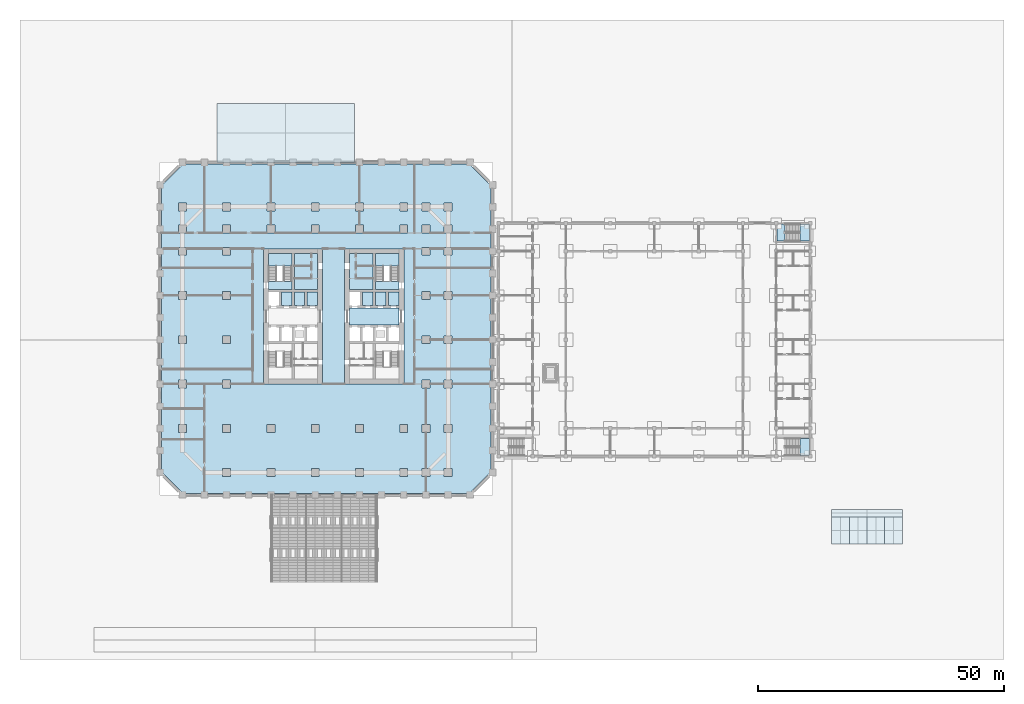
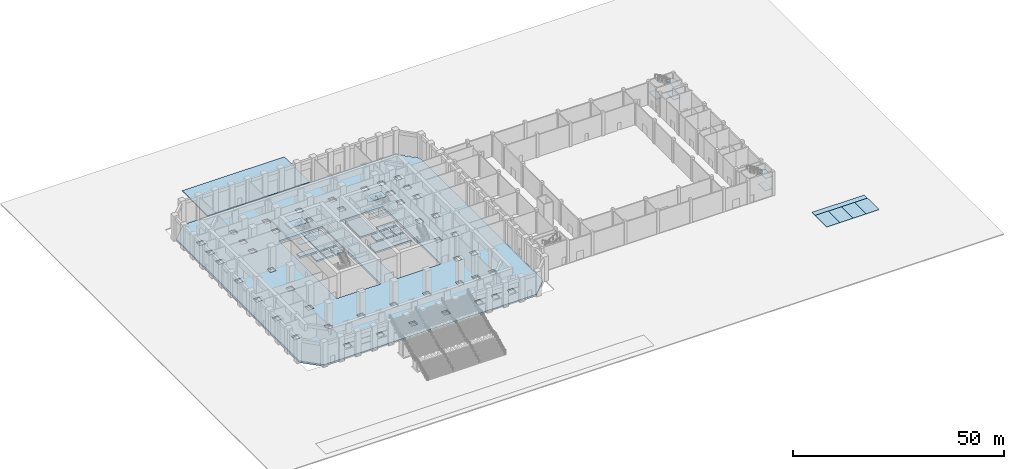
# One storey, part 7 of 30: 29 slabs, 4 elements without a shape of their own.
"""IFC4 building model written with IfcOpenShell, lengths in metres."""

from ifc_helpers import new_model, si_unit, direction, frame, origin, place, context, subcontext, project, spatial, polyline, outline, extrude, material, layer, layer_set, type_object, element, aggregate, save


model = new_model("IFC4")

# Units and contexts
model_context = context("Model", 3, precision=1e-05, world=origin(), true_north=direction((0.0, 1.0)))
body_context = subcontext(model_context, "Body", "Model", "MODEL_VIEW")
ifc_project = project(units=[si_unit("LENGTHUNIT", "METRE"), si_unit("AREAUNIT", "SQUARE_METRE"), si_unit("VOLUMEUNIT", "CUBIC_METRE"), si_unit("PLANEANGLEUNIT", "RADIAN"), si_unit("MASSUNIT", "GRAM", prefix="KILO")], contexts=[model_context])

# Site, building, storey
site_placement = place(None, origin())
site = spatial("IfcSite", under=ifc_project, at=site_placement, CompositionType="ELEMENT")
building_placement = place(site_placement, origin())
building = spatial("IfcBuilding", under=site, at=building_placement, Name="Corbel Stack Research Tower", CompositionType="ELEMENT")
storey_placement = place(building_placement, origin())
storey = spatial("IfcBuildingStorey", under=building, at=storey_placement, Name="L00", CompositionType="ELEMENT", Elevation=0.0)

# Stair, slabs
ifc_material_1 = material(Name="Concrete C40/50", Category="concrete")
stair_type_1 = type_object("IfcStairType", Name="HST1 exit stair", PredefinedType="HALF_TURN_STAIR", material=ifc_material_1)
stair_1_placement = place(storey_placement, origin())
stair_1 = element("IfcStair", 1, at=stair_1_placement, inside=storey, type_object=stair_type_1, Name="L00 exit stair 2", PredefinedType="HALF_TURN_STAIR")
ifc_material_2 = material(Name="Concrete C40/50", Category="concrete")
ifc_layer_1 = layer(ifc_material_2, 0.199951171875)
ifc_layer_set_1 = layer_set([ifc_layer_1], Name="Concrete C40/50")
slab_type_1 = type_object("IfcSlabType", Name="HS4 stair landing 200", PredefinedType="LANDING", material=ifc_layer_set_1)
slab_1_placement = place(storey_placement, frame((0.0, 0.0, 1.60009765625)))
slab_1 = element("IfcSlab", 2, at=slab_1_placement, type_object=slab_type_1, Name="HS2 landing 1", PredefinedType="LANDING", context=body_context, shape_type="SweptSolid", body=[
    extrude(outline(polyline([(98.574951171875, 20.050048828125), (100.449951171875, 20.050048828125), (100.449951171875, 23.5), (98.574951171875, 23.5), (98.574951171875, 20.050048828125)])), origin(), (0.0, 0.0, 1.0), 0.199951171875),
])
slab_2_placement = place(storey_placement, frame((0.0, 0.0, 3.39990234375)))
slab_2 = element("IfcSlab", 3, at=slab_2_placement, type_object=slab_type_1, Name="HS2 landing 2", PredefinedType="LANDING", context=body_context, shape_type="SweptSolid", body=[
    extrude(outline(polyline([(93.824951171875, 20.050048828125), (95.47509765625, 20.050048828125), (95.47509765625, 23.5), (93.824951171875, 23.5), (93.824951171875, 20.050048828125)])), origin(), (0.0, 0.0, 1.0), 0.2001953125),
])
slab_3_placement = place(storey_placement, frame((0.0, 0.0, 5.199951171875)))
slab_3 = element("IfcSlab", 4, at=slab_3_placement, type_object=slab_type_1, Name="HS2 landing 3", PredefinedType="LANDING", context=body_context, shape_type="SweptSolid", body=[
    extrude(outline(polyline([(98.574951171875, 20.050048828125), (100.449951171875, 20.050048828125), (100.449951171875, 23.5), (98.574951171875, 23.5), (98.574951171875, 20.050048828125)])), origin(), (0.0, 0.0, 1.0), 0.199951171875),
])
aggregate(stair_1, [slab_1, slab_2, slab_3])

stair_2_placement = place(storey_placement, origin())
stair_2 = element("IfcStair", 5, at=stair_2_placement, inside=storey, type_object=stair_type_1, Name="L00 exit stair 3", PredefinedType="HALF_TURN_STAIR")
slab_4_placement = place(storey_placement, frame((0.0, 0.0, 1.60009765625)))
slab_4 = element("IfcSlab", 6, at=slab_4_placement, type_object=slab_type_1, Name="HS3 landing 1", PredefinedType="LANDING", context=body_context, shape_type="SweptSolid", body=[
    extrude(outline(polyline([(98.574951171875, -23.5), (100.449951171875, -23.5), (100.449951171875, -20.050048828125), (98.574951171875, -20.050048828125), (98.574951171875, -23.5)])), origin(), (0.0, 0.0, 1.0), 0.199951171875),
])
slab_5_placement = place(storey_placement, frame((0.0, 0.0, 5.199951171875)))
slab_5 = element("IfcSlab", 7, at=slab_5_placement, type_object=slab_type_1, Name="HS3 landing 3", PredefinedType="LANDING", context=body_context, shape_type="SweptSolid", body=[
    extrude(outline(polyline([(98.574951171875, -23.5), (100.449951171875, -23.5), (100.449951171875, -20.050048828125), (98.574951171875, -20.050048828125), (98.574951171875, -23.5)])), origin(), (0.0, 0.0, 1.0), 0.199951171875),
])
aggregate(stair_2, [slab_4, slab_5])

# Slabs
ifc_material_3 = material(Name="Concrete C45/55", Category="concrete")
ifc_layer_2 = layer(ifc_material_3, 0.5)
ifc_layer_set_2 = layer_set([ifc_layer_2], Name="Concrete C45/55")
slab_type_2 = type_object("IfcSlabType", Name="PT-500", PredefinedType="FLOOR", material=ifc_layer_set_2)
slab_6_placement = place(storey_placement, frame((0.0, 0.0, -0.5)))
element("IfcSlab", 8, at=slab_6_placement, inside=storey, type_object=slab_type_2, Name="Floor slab L00", PredefinedType="FLOOR", context=body_context, shape_type="SweptSolid", body=[
    extrude(outline(polyline([(-26.875732421875, -31.199951171875), (31.375732421875, -31.199951171875), (35.699951171875, -26.875732421875), (35.699951171875, 31.375732421875), (31.375732421875, 35.699951171875), (-26.875732421875, 35.699951171875), (-31.199951171875, 31.375732421875), (-31.199951171875, -26.875732421875), (-26.875732421875, -31.199951171875)]), holes=[polyline([(26.199951171875, 8.199951171875), (26.199951171875, 9.800048828125), (27.800048828125, 9.800048828125), (27.800048828125, 8.199951171875), (26.199951171875, 8.199951171875)]), polyline([(26.199951171875, -26.199951171875), (27.800048828125, -26.199951171875), (27.800048828125, -27.800048828125), (26.199951171875, -27.800048828125), (26.199951171875, -26.199951171875)]), polyline([(26.199951171875, -8.199951171875), (27.800048828125, -8.199951171875), (27.800048828125, -9.800048828125), (26.199951171875, -9.800048828125), (26.199951171875, -8.199951171875)]), polyline([(26.199951171875, 0.800048828125), (27.800048828125, 0.800048828125), (27.800048828125, -0.800048828125), (26.199951171875, -0.800048828125), (26.199951171875, 0.800048828125)]), polyline([(26.199951171875, 23.300048828125), (27.800048828125, 23.300048828125), (27.800048828125, 21.699951171875), (26.199951171875, 21.699951171875), (26.199951171875, 23.300048828125)]), polyline([(26.199951171875, 27.800048828125), (27.800048828125, 27.800048828125), (27.800048828125, 26.199951171875), (26.199951171875, 26.199951171875), (26.199951171875, 27.800048828125)]), polyline([(26.199951171875, -18.800048828125), (26.199951171875, -17.199951171875), (27.800048828125, -17.199951171875), (27.800048828125, -18.800048828125), (26.199951171875, -18.800048828125)]), polyline([(26.199951171875, 18.800048828125), (27.800048828125, 18.800048828125), (27.800048828125, 17.199951171875), (26.199951171875, 17.199951171875), (26.199951171875, 18.800048828125)]), polyline([(21.699951171875, 9.800048828125), (23.300048828125, 9.800048828125), (23.300048828125, 8.199951171875), (21.699951171875, 8.199951171875), (21.699951171875, 9.800048828125)]), polyline([(21.699951171875, -26.199951171875), (23.300048828125, -26.199951171875), (23.300048828125, -27.800048828125), (21.699951171875, -27.800048828125), (21.699951171875, -26.199951171875)]), polyline([(21.699951171875, -17.199951171875), (23.300048828125, -17.199951171875), (23.300048828125, -18.800048828125), (21.699951171875, -18.800048828125), (21.699951171875, -17.199951171875)]), polyline([(21.699951171875, -8.199951171875), (23.300048828125, -8.199951171875), (23.300048828125, -9.800048828125), (21.699951171875, -9.800048828125), (21.699951171875, -8.199951171875)]), polyline([(21.699951171875, 18.800048828125), (23.300048828125, 18.800048828125), (23.300048828125, 17.199951171875), (21.699951171875, 17.199951171875), (21.699951171875, 18.800048828125)]), polyline([(21.699951171875, 23.300048828125), (23.300048828125, 23.300048828125), (23.300048828125, 21.699951171875), (21.699951171875, 21.699951171875), (21.699951171875, 23.300048828125)]), polyline([(21.699951171875, 27.800048828125), (23.300048828125, 27.800048828125), (23.300048828125, 26.199951171875), (21.699951171875, 26.199951171875), (21.699951171875, 27.800048828125)]), polyline([(21.699951171875, -0.800048828125), (21.699951171875, 0.800048828125), (23.300048828125, 0.800048828125), (23.300048828125, -0.800048828125), (21.699951171875, -0.800048828125)]), polyline([(17.199951171875, 21.699951171875), (17.199951171875, 23.300048828125), (18.800048828125, 23.300048828125), (18.800048828125, 21.699951171875), (17.199951171875, 21.699951171875)]), polyline([(17.199951171875, 27.800048828125), (18.800048828125, 27.800048828125), (18.800048828125, 26.199951171875), (17.199951171875, 26.199951171875), (17.199951171875, 27.800048828125)]), polyline([(17.199951171875, -17.199951171875), (18.800048828125, -17.199951171875), (18.800048828125, -18.800048828125), (17.199951171875, -18.800048828125), (17.199951171875, -17.199951171875)]), polyline([(17.199951171875, -26.199951171875), (18.800048828125, -26.199951171875), (18.800048828125, -27.800048828125), (17.199951171875, -27.800048828125), (17.199951171875, -26.199951171875)]), polyline([(6.0, 18.5), (18.0, 18.5), (18.0, -9.0), (6.0, -9.0), (6.0, 18.5)]), polyline([(8.199951171875, -26.199951171875), (9.800048828125, -26.199951171875), (9.800048828125, -27.800048828125), (8.199951171875, -27.800048828125), (8.199951171875, -26.199951171875)]), polyline([(8.199951171875, -17.199951171875), (9.800048828125, -17.199951171875), (9.800048828125, -18.800048828125), (8.199951171875, -18.800048828125), (8.199951171875, -17.199951171875)]), polyline([(8.199951171875, 23.300048828125), (9.800048828125, 23.300048828125), (9.800048828125, 21.699951171875), (8.199951171875, 21.699951171875), (8.199951171875, 23.300048828125)]), polyline([(8.199951171875, 26.199951171875), (8.199951171875, 27.800048828125), (9.800048828125, 27.800048828125), (9.800048828125, 26.199951171875), (8.199951171875, 26.199951171875)]), polyline([(-10.5, -9.0), (-10.5, 18.5), (1.5, 18.5), (1.5, -9.0), (-10.5, -9.0)]), polyline([(-0.800048828125, -18.800048828125), (-0.800048828125, -17.199951171875), (0.800048828125, -17.199951171875), (0.800048828125, -18.800048828125), (-0.800048828125, -18.800048828125)]), polyline([(-0.800048828125, -27.800048828125), (-0.800048828125, -26.199951171875), (0.800048828125, -26.199951171875), (0.800048828125, -27.800048828125), (-0.800048828125, -27.800048828125)]), polyline([(-0.800048828125, 23.300048828125), (0.800048828125, 23.300048828125), (0.800048828125, 21.699951171875), (-0.800048828125, 21.699951171875), (-0.800048828125, 23.300048828125)]), polyline([(-0.800048828125, 27.800048828125), (0.800048828125, 27.800048828125), (0.800048828125, 26.199951171875), (-0.800048828125, 26.199951171875), (-0.800048828125, 27.800048828125)]), polyline([(-9.800048828125, 26.199951171875), (-9.800048828125, 27.800048828125), (-8.199951171875, 27.800048828125), (-8.199951171875, 26.199951171875), (-9.800048828125, 26.199951171875)]), polyline([(-9.800048828125, -27.800048828125), (-9.800048828125, -26.199951171875), (-8.199951171875, -26.199951171875), (-8.199951171875, -27.800048828125), (-9.800048828125, -27.800048828125)]), polyline([(-9.800048828125, 23.300048828125), (-8.199951171875, 23.300048828125), (-8.199951171875, 21.699951171875), (-9.800048828125, 21.699951171875), (-9.800048828125, 23.300048828125)]), polyline([(-9.800048828125, -17.199951171875), (-8.199951171875, -17.199951171875), (-8.199951171875, -18.800048828125), (-9.800048828125, -18.800048828125), (-9.800048828125, -17.199951171875)]), polyline([(-18.800048828125, -26.199951171875), (-17.199951171875, -26.199951171875), (-17.199951171875, -27.800048828125), (-18.800048828125, -27.800048828125), (-18.800048828125, -26.199951171875)]), polyline([(-18.800048828125, 8.199951171875), (-18.800048828125, 9.800048828125), (-17.199951171875, 9.800048828125), (-17.199951171875, 8.199951171875), (-18.800048828125, 8.199951171875)]), polyline([(-18.800048828125, 0.800048828125), (-17.199951171875, 0.800048828125), (-17.199951171875, -0.800048828125), (-18.800048828125, -0.800048828125), (-18.800048828125, 0.800048828125)]), polyline([(-18.800048828125, 18.800048828125), (-17.199951171875, 18.800048828125), (-17.199951171875, 17.199951171875), (-18.800048828125, 17.199951171875), (-18.800048828125, 18.800048828125)]), polyline([(-18.800048828125, 23.300048828125), (-17.199951171875, 23.300048828125), (-17.199951171875, 21.699951171875), (-18.800048828125, 21.699951171875), (-18.800048828125, 23.300048828125)]), polyline([(-18.800048828125, -18.800048828125), (-18.800048828125, -17.199951171875), (-17.199951171875, -17.199951171875), (-17.199951171875, -18.800048828125), (-18.800048828125, -18.800048828125)]), polyline([(-18.800048828125, -9.800048828125), (-18.800048828125, -8.199951171875), (-17.199951171875, -8.199951171875), (-17.199951171875, -9.800048828125), (-18.800048828125, -9.800048828125)]), polyline([(-18.800048828125, 26.199951171875), (-18.800048828125, 27.800048828125), (-17.199951171875, 27.800048828125), (-17.199951171875, 26.199951171875), (-18.800048828125, 26.199951171875)]), polyline([(-27.800048828125, 17.199951171875), (-27.800048828125, 18.800048828125), (-26.199951171875, 18.800048828125), (-26.199951171875, 17.199951171875), (-27.800048828125, 17.199951171875)]), polyline([(-27.800048828125, 27.800048828125), (-26.199951171875, 27.800048828125), (-26.199951171875, 26.199951171875), (-27.800048828125, 26.199951171875), (-27.800048828125, 27.800048828125)]), polyline([(-27.800048828125, 23.300048828125), (-26.199951171875, 23.300048828125), (-26.199951171875, 21.699951171875), (-27.800048828125, 21.699951171875), (-27.800048828125, 23.300048828125)]), polyline([(-27.800048828125, 9.800048828125), (-26.199951171875, 9.800048828125), (-26.199951171875, 8.199951171875), (-27.800048828125, 8.199951171875), (-27.800048828125, 9.800048828125)]), polyline([(-27.800048828125, 0.800048828125), (-26.199951171875, 0.800048828125), (-26.199951171875, -0.800048828125), (-27.800048828125, -0.800048828125), (-27.800048828125, 0.800048828125)]), polyline([(-27.800048828125, -8.199951171875), (-26.199951171875, -8.199951171875), (-26.199951171875, -9.800048828125), (-27.800048828125, -9.800048828125), (-27.800048828125, -8.199951171875)]), polyline([(-27.800048828125, -17.199951171875), (-26.199951171875, -17.199951171875), (-26.199951171875, -18.800048828125), (-27.800048828125, -18.800048828125), (-27.800048828125, -17.199951171875)])]), origin(), (0.0, 0.0, 1.0), 0.5),
])
slab_7_placement = place(storey_placement, frame((0.0, 0.0, -0.5)))
element("IfcSlab", 9, at=slab_7_placement, inside=storey, type_object=slab_type_2, Name="West core floor L00", PredefinedType="FLOOR", context=body_context, shape_type="SweptSolid", body=[
    extrude(outline(polyline([(-6.875, 6.949951171875), (-4.75, 6.949951171875), (-4.75, 9.75), (-6.875, 9.75), (-6.875, 6.949951171875)])), origin(), (0.0, 0.0, 1.0), 0.5),
])
slab_8_placement = place(storey_placement, frame((0.0, 0.0, -0.5)))
element("IfcSlab", 10, at=slab_8_placement, inside=storey, type_object=slab_type_2, Name="West core floor L00", PredefinedType="FLOOR", context=body_context, shape_type="SweptSolid", body=[
    extrude(outline(polyline([(-2.125, 6.949951171875), (-2.125, 9.75), (-4.25, 9.75), (-4.25, 6.949951171875), (-2.125, 6.949951171875)])), origin(), (0.0, 0.0, 1.0), 0.5),
])
slab_9_placement = place(storey_placement, frame((0.0, 0.0, -0.5)))
element("IfcSlab", 11, at=slab_9_placement, inside=storey, type_object=slab_type_2, Name="West core floor L00", PredefinedType="FLOOR", context=body_context, shape_type="SweptSolid", body=[
    extrude(outline(polyline([(-4.25, 17.5), (-4.25, 10.25), (0.5, 10.25), (0.5, 17.5), (-4.25, 17.5)])), origin(), (0.0, 0.0, 1.0), 0.5),
])
slab_10_placement = place(storey_placement, frame((0.0, 0.0, -0.5)))
element("IfcSlab", 12, at=slab_10_placement, inside=storey, type_object=slab_type_2, Name="West core floor L00", PredefinedType="FLOOR", context=body_context, shape_type="SweptSolid", body=[
    extrude(outline(polyline([(0.5, 6.949951171875), (0.5, 9.75), (-1.625, 9.75), (-1.625, 6.949951171875), (0.5, 6.949951171875)])), origin(), (0.0, 0.0, 1.0), 0.5),
])
slab_11_placement = place(storey_placement, frame((0.0, 0.0, -0.5)))
element("IfcSlab", 13, at=slab_11_placement, inside=storey, type_object=slab_type_2, Name="East core floor L00", PredefinedType="FLOOR", context=body_context, shape_type="SweptSolid", body=[
    extrude(outline(polyline([(7.0, 6.449951171875), (7.0, 3.050048828125), (17.0, 3.050048828125), (17.0, 6.449951171875), (7.0, 6.449951171875)])), origin(), (0.0, 0.0, 1.0), 0.5),
])
slab_12_placement = place(storey_placement, frame((0.0, 0.0, -0.5)))
element("IfcSlab", 14, at=slab_12_placement, inside=storey, type_object=slab_type_2, Name="East core floor L00", PredefinedType="FLOOR", context=body_context, shape_type="SweptSolid", body=[
    extrude(outline(polyline([(7.0, 17.5), (7.0, 10.25), (11.75, 10.25), (11.75, 17.5), (7.0, 17.5)])), origin(), (0.0, 0.0, 1.0), 0.5),
])
slab_13_placement = place(storey_placement, frame((0.0, 0.0, -0.5)))
element("IfcSlab", 15, at=slab_13_placement, inside=storey, type_object=slab_type_2, Name="East core floor L00", PredefinedType="FLOOR", context=body_context, shape_type="SweptSolid", body=[
    extrude(outline(polyline([(9.625, 6.949951171875), (11.75, 6.949951171875), (11.75, 9.75), (9.625, 9.75), (9.625, 6.949951171875)])), origin(), (0.0, 0.0, 1.0), 0.5),
])
slab_14_placement = place(storey_placement, frame((0.0, 0.0, -0.5)))
element("IfcSlab", 16, at=slab_14_placement, inside=storey, type_object=slab_type_2, Name="East core floor L00", PredefinedType="FLOOR", context=body_context, shape_type="SweptSolid", body=[
    extrude(outline(polyline([(14.375, 6.949951171875), (14.375, 9.75), (12.25, 9.75), (12.25, 6.949951171875), (14.375, 6.949951171875)])), origin(), (0.0, 0.0, 1.0), 0.5),
])
slab_15_placement = place(storey_placement, frame((0.0, 0.0, -0.5)))
element("IfcSlab", 17, at=slab_15_placement, inside=storey, type_object=slab_type_2, Name="East core floor L00", PredefinedType="FLOOR", context=body_context, shape_type="SweptSolid", body=[
    extrude(outline(polyline([(17.0, 6.949951171875), (17.0, 9.75), (14.875, 9.75), (14.875, 6.949951171875), (17.0, 6.949951171875)])), origin(), (0.0, 0.0, 1.0), 0.5),
])
slab_16_placement = place(storey_placement, frame((0.0, 0.0, -0.5)))
element("IfcSlab", 18, at=slab_16_placement, inside=storey, type_object=slab_type_2, Name="Stair floor landing ST-W2", PredefinedType="FLOOR", context=body_context, shape_type="SweptSolid", body=[
    extrude(outline(polyline([(-9.5, 10.25), (-4.75, 10.25), (-4.75, 11.89990234375), (-9.5, 11.89990234375), (-9.5, 10.25)])), origin(), (0.0, 0.0, 1.0), 0.5),
])
slab_17_placement = place(storey_placement, frame((0.0, 0.0, -0.5)))
element("IfcSlab", 19, at=slab_17_placement, inside=storey, type_object=slab_type_2, Name="Stair floor landing ST-E2", PredefinedType="FLOOR", context=body_context, shape_type="SweptSolid", body=[
    extrude(outline(polyline([(12.25, 10.25), (17.0, 10.25), (17.0, 11.89990234375), (12.25, 11.89990234375), (12.25, 10.25)])), origin(), (0.0, 0.0, 1.0), 0.5),
])
ifc_material_4 = material(Name="Concrete paving", Category="concrete")
ifc_layer_3 = layer(ifc_material_4, 0.199951171875)
ifc_layer_set_3 = layer_set([ifc_layer_3], Name="Concrete paving")
slab_type_3 = type_object("IfcSlabType", Name="SP2 accessible bay paving 200", PredefinedType="USERDEFINED", material=ifc_layer_set_3)
slab_18_placement = place(storey_placement, frame((0.0, 0.0, -0.199951171875)))
element("IfcSlab", 20, at=slab_18_placement, inside=storey, type_object=slab_type_3, Name="Accessible bay 1", ObjectType="PAVING", PredefinedType="USERDEFINED", context=body_context, shape_type="SweptSolid", body=[
    extrude(outline(polyline([(108.550048828125, -41.5), (104.949951171875, -41.5), (104.949951171875, -36.0), (108.550048828125, -36.0), (108.550048828125, -41.5)])), origin(), (0.0, 0.0, 1.0), 0.199951171875),
])
slab_19_placement = place(storey_placement, frame((0.0, 0.0, -0.199951171875)))
element("IfcSlab", 21, at=slab_19_placement, inside=storey, type_object=slab_type_3, Name="Accessible bay 2", ObjectType="PAVING", PredefinedType="USERDEFINED", context=body_context, shape_type="SweptSolid", body=[
    extrude(outline(polyline([(112.14990234375, -41.5), (108.550048828125, -41.5), (108.550048828125, -36.0), (112.14990234375, -36.0), (112.14990234375, -41.5)])), origin(), (0.0, 0.0, 1.0), 0.199951171875),
])
slab_20_placement = place(storey_placement, frame((0.0, 0.0, -0.199951171875)))
element("IfcSlab", 22, at=slab_20_placement, inside=storey, type_object=slab_type_3, Name="Accessible bay 3", ObjectType="PAVING", PredefinedType="USERDEFINED", context=body_context, shape_type="SweptSolid", body=[
    extrude(outline(polyline([(115.75, -41.5), (112.14990234375, -41.5), (112.14990234375, -36.0), (115.75, -36.0), (115.75, -41.5)])), origin(), (0.0, 0.0, 1.0), 0.199951171875),
])
slab_21_placement = place(storey_placement, frame((0.0, 0.0, -0.199951171875)))
element("IfcSlab", 23, at=slab_21_placement, inside=storey, type_object=slab_type_3, Name="Accessible bay 4", ObjectType="PAVING", PredefinedType="USERDEFINED", context=body_context, shape_type="SweptSolid", body=[
    extrude(outline(polyline([(119.35009765625, -41.5), (115.75, -41.5), (115.75, -36.0), (119.35009765625, -36.0), (119.35009765625, -41.5)])), origin(), (0.0, 0.0, 1.0), 0.199951171875),
])
slab_22_placement = place(storey_placement, frame((0.0, 0.0, -0.199951171875)))
element("IfcSlab", 24, at=slab_22_placement, inside=storey, type_object=slab_type_3, Name="Accessible bay access aisle", ObjectType="PAVING", PredefinedType="USERDEFINED", context=body_context, shape_type="SweptSolid", body=[
    extrude(outline(polyline([(119.35009765625, -36.0), (104.949951171875, -36.0), (104.949951171875, -34.5), (119.35009765625, -34.5), (119.35009765625, -36.0)])), origin(), (0.0, 0.0, 1.0), 0.199951171875),
])
ifc_material_5 = material(Name="Concrete paving", Category="concrete")
ifc_layer_4 = layer(ifc_material_5, 0.25)
ifc_layer_set_4 = layer_set([ifc_layer_4], Name="Concrete paving")
slab_type_4 = type_object("IfcSlabType", Name="SP4 loading apron paving 250", PredefinedType="USERDEFINED", material=ifc_layer_set_4)
slab_23_placement = place(storey_placement, frame((0.0, 0.0, -0.25)))
element("IfcSlab", 25, at=slab_23_placement, inside=storey, type_object=slab_type_4, Name="Loading dock apron", ObjectType="PAVING", PredefinedType="USERDEFINED", context=body_context, shape_type="SweptSolid", body=[
    extrude(outline(polyline([(8.0, 36.0), (-20.0, 36.0), (-20.0, 48.0), (8.0, 48.0), (8.0, 36.0)])), origin(), (0.0, 0.0, 1.0), 0.25),
])

# Stair, slabs
ifc_material_6 = material(Name="Concrete C40/50", Category="concrete")
stair_type_2 = type_object("IfcStairType", Name="Exit stair 44 risers, 310 going", PredefinedType="HALF_TURN_STAIR", material=ifc_material_6)
stair_3_placement = place(storey_placement, origin())
stair_3 = element("IfcStair", 26, at=stair_3_placement, inside=storey, type_object=stair_type_2, Name="L00 Exit stair ST-W2", PredefinedType="HALF_TURN_STAIR")
ifc_material_7 = material(Name="Concrete C40/50", Category="concrete")
ifc_layer_5 = layer(ifc_material_7, 0.199951171875)
ifc_layer_set_5 = layer_set([ifc_layer_5], Name="Concrete C40/50")
slab_type_5 = type_object("IfcSlabType", Name="Stair landing 200 C40/50", PredefinedType="LANDING", material=ifc_layer_set_5)
slab_24_placement = place(storey_placement, frame((0.0, 0.0, 1.60009765625)))
slab_24 = element("IfcSlab", 27, at=slab_24_placement, type_object=slab_type_5, Name="ST-W2 landing 1", PredefinedType="LANDING", context=body_context, shape_type="SweptSolid", body=[
    extrude(outline(polyline([(-9.5, 15.0), (-9.5, 17.5), (-4.75, 17.5), (-4.75, 15.0), (-9.5, 15.0)])), origin(), (0.0, 0.0, 1.0), 0.199951171875),
])
slab_25_placement = place(storey_placement, frame((0.0, 0.0, 3.39990234375)))
slab_25 = element("IfcSlab", 28, at=slab_25_placement, type_object=slab_type_5, Name="ST-W2 landing 2", PredefinedType="LANDING", context=body_context, shape_type="SweptSolid", body=[
    extrude(outline(polyline([(-9.5, 10.25), (-9.5, 11.89990234375), (-4.75, 11.89990234375), (-4.75, 10.25), (-9.5, 10.25)])), origin(), (0.0, 0.0, 1.0), 0.2001953125),
])
slab_26_placement = place(storey_placement, frame((0.0, 0.0, 5.199951171875)))
slab_26 = element("IfcSlab", 29, at=slab_26_placement, type_object=slab_type_5, Name="ST-W2 landing 3", PredefinedType="LANDING", context=body_context, shape_type="SweptSolid", body=[
    extrude(outline(polyline([(-9.5, 15.0), (-9.5, 17.5), (-4.75, 17.5), (-4.75, 15.0), (-9.5, 15.0)])), origin(), (0.0, 0.0, 1.0), 0.199951171875),
])
aggregate(stair_3, [slab_24, slab_25, slab_26])

stair_4_placement = place(storey_placement, origin())
stair_4 = element("IfcStair", 30, at=stair_4_placement, inside=storey, type_object=stair_type_2, Name="L00 Exit stair ST-E2", PredefinedType="HALF_TURN_STAIR")
slab_27_placement = place(storey_placement, frame((0.0, 0.0, 1.60009765625)))
slab_27 = element("IfcSlab", 31, at=slab_27_placement, type_object=slab_type_5, Name="ST-E2 landing 1", PredefinedType="LANDING", context=body_context, shape_type="SweptSolid", body=[
    extrude(outline(polyline([(12.25, 15.0), (12.25, 17.5), (17.0, 17.5), (17.0, 15.0), (12.25, 15.0)])), origin(), (0.0, 0.0, 1.0), 0.199951171875),
])
slab_28_placement = place(storey_placement, frame((0.0, 0.0, 3.39990234375)))
slab_28 = element("IfcSlab", 32, at=slab_28_placement, type_object=slab_type_5, Name="ST-E2 landing 2", PredefinedType="LANDING", context=body_context, shape_type="SweptSolid", body=[
    extrude(outline(polyline([(12.25, 10.25), (12.25, 11.89990234375), (17.0, 11.89990234375), (17.0, 10.25), (12.25, 10.25)])), origin(), (0.0, 0.0, 1.0), 0.2001953125),
])
slab_29_placement = place(storey_placement, frame((0.0, 0.0, 5.199951171875)))
slab_29 = element("IfcSlab", 33, at=slab_29_placement, type_object=slab_type_5, Name="ST-E2 landing 3", PredefinedType="LANDING", context=body_context, shape_type="SweptSolid", body=[
    extrude(outline(polyline([(12.25, 15.0), (12.25, 17.5), (17.0, 17.5), (17.0, 15.0), (12.25, 15.0)])), origin(), (0.0, 0.0, 1.0), 0.199951171875),
])
aggregate(stair_4, [slab_27, slab_28, slab_29])

save(model, "model.ifc")
